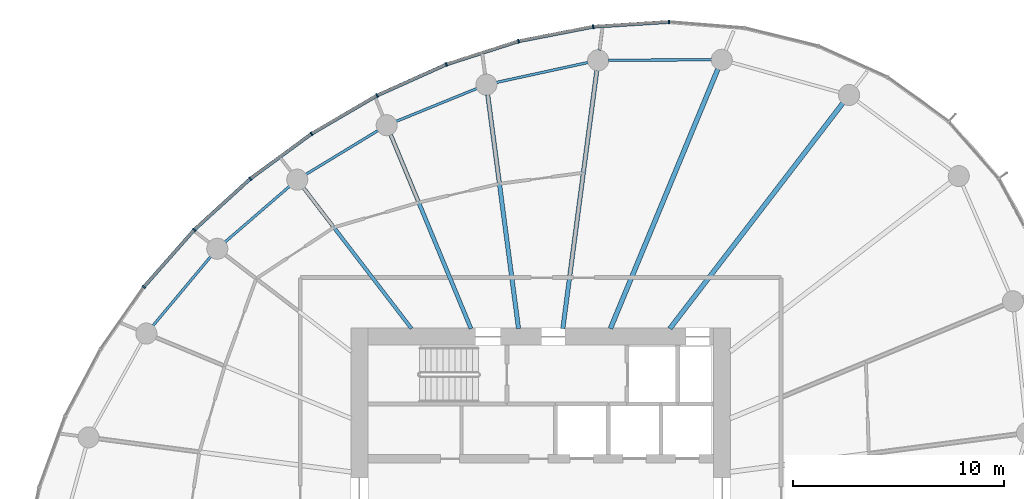
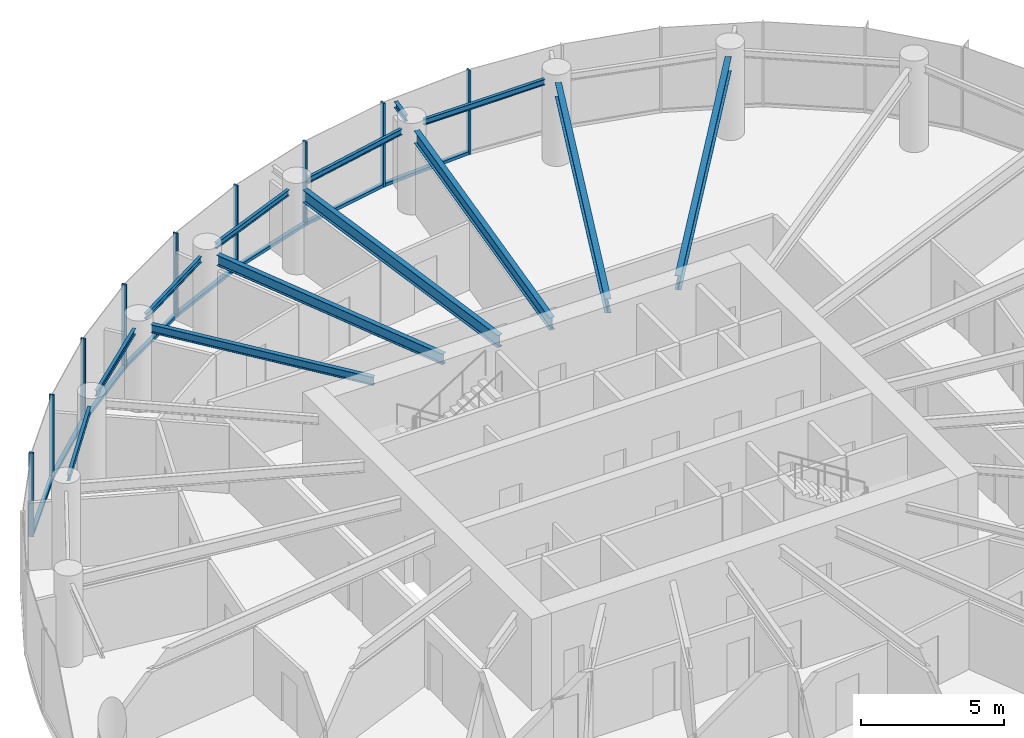
# One storey, part 5 of 14: 17 members, 13 beams, 3 elements without a shape of their own.
"""IFC4 building model written with IfcOpenShell, lengths in metres."""

from ifc_helpers import new_model, si_unit, direction, frame, origin, origin_2d, place, context, subcontext, project, spatial, rectangle, i_section, extrude, source, transform, mapped, material, layer, layer_set, material_profile, profile_set, type_object, element, aggregate, save


model = new_model("IFC4")

# Units and contexts
model_context = context("Model", 3, precision=1e-05, world=origin(), true_north=direction((0.0, 1.0)))
body_context = subcontext(model_context, "Body", "Model", "MODEL_VIEW")
ifc_project = project(units=[si_unit("LENGTHUNIT", "METRE"), si_unit("AREAUNIT", "SQUARE_METRE"), si_unit("VOLUMEUNIT", "CUBIC_METRE"), si_unit("PLANEANGLEUNIT", "RADIAN"), si_unit("MASSUNIT", "GRAM", prefix="KILO")], contexts=[model_context])

# Site, building, storey
site_placement = place(None, origin())
site = spatial("IfcSite", under=ifc_project, at=site_placement, CompositionType="ELEMENT")
building_placement = place(site_placement, origin())
building = spatial("IfcBuilding", under=site, at=building_placement, Name="Spindrift Exchange Tower", CompositionType="ELEMENT")
storey_placement = place(building_placement, frame((0.0, 0.0, 152.60009765625)))
storey = spatial("IfcBuildingStorey", under=building, at=storey_placement, Name="L36", CompositionType="ELEMENT", Elevation=152.60009765625)

# Beams
ifc_material_1 = material(Name="Steel Grade 300", Category="steel")
ifc_material_profile_1 = material_profile(ifc_material_1, i_section(OverallWidth=0.1240234375, OverallDepth=0.248046875, WebThickness=0.0048828125, FlangeThickness=0.008056640625, FilletRadius=0.011962890625, at=origin_2d()), Name="250UB25.7")
ifc_profile_set_1 = profile_set([ifc_material_profile_1], Name="Steel Grade 300")
beam_type_1 = type_object("IfcBeamType", Name="Edge Beam 250UB25.7 Steel Grade 300", PredefinedType="SPANDREL", material=ifc_profile_set_1)
shared_shape_1 = source(origin(), body_context, "Body", "SweptSolid", [
    extrude(i_section(OverallWidth=0.1240234375, OverallDepth=0.248046875, WebThickness=0.0048828125, FlangeThickness=0.008056640625, FilletRadius=0.011962890625, at=origin_2d()), origin(), (0.0, 0.0, 1.0), 4.901123046875),
])
beam_1_placement = place(storey_placement, frame((60.10693359375, 68.728759765625, 3.455810546875), z_axis=(-0.999990609444, -0.004333707747, 0.0), x_axis=(0.004333707747, -0.999990609444, 0.0)))
element("IfcBeam", 1, at=beam_1_placement, inside=storey, type_object=beam_type_1, Name="L36 edge beam E05", PredefinedType="SPANDREL", context=body_context, shape_type="MappedRepresentation", body=[
    mapped(shared_shape_1, transform((0.0, 0.0, 0.0), scale=1.0)),
])
shared_shape_2 = source(origin(), body_context, "Body", "SweptSolid", [
    extrude(i_section(OverallWidth=0.1240234375, OverallDepth=0.248046875, WebThickness=0.0048828125, FlangeThickness=0.008056640625, FilletRadius=0.011962890625, at=origin_2d()), origin(), (0.0, 0.0, 1.0), 4.464111328125),
])
beam_2_placement = place(storey_placement, frame((54.2568359375, 68.603271484375, 3.455810546875), z_axis=(-0.977095837978, -0.212799726048, 0.0), x_axis=(0.212799726048, -0.977095837978, 0.0)))
element("IfcBeam", 2, at=beam_2_placement, inside=storey, type_object=beam_type_1, Name="L36 edge beam E06", PredefinedType="SPANDREL", context=body_context, shape_type="MappedRepresentation", body=[
    mapped(shared_shape_2, transform((0.0, 0.0, 0.0), scale=1.0)),
])
shared_shape_3 = source(origin(), body_context, "Body", "SweptSolid", [
    extrude(i_section(OverallWidth=0.1240234375, OverallDepth=0.248046875, WebThickness=0.0048828125, FlangeThickness=0.008056640625, FilletRadius=0.011962890625, at=origin_2d()), origin(), (0.0, 0.0, 1.0), 4.143798828125),
])
beam_3_placement = place(storey_placement, frame((48.9814453125, 67.3701171875, 3.455810546875), z_axis=(-0.926113706975, -0.377244485385, 0.0), x_axis=(0.377244485385, -0.926113706975, 0.0)))
element("IfcBeam", 3, at=beam_3_placement, inside=storey, type_object=beam_type_1, Name="L36 edge beam E07", PredefinedType="SPANDREL", context=body_context, shape_type="MappedRepresentation", body=[
    mapped(shared_shape_3, transform((0.0, 0.0, 0.0), scale=1.0)),
])
shared_shape_4 = source(origin(), body_context, "Body", "SweptSolid", [
    extrude(i_section(OverallWidth=0.1240234375, OverallDepth=0.248046875, WebThickness=0.0048828125, FlangeThickness=0.008056640625, FilletRadius=0.011962890625, at=origin_2d()), origin(), (0.0, 0.0, 1.0), 4.00634765625),
])
beam_4_placement = place(storey_placement, frame((44.2890625, 65.376220703125, 3.455810546875), z_axis=(-0.854331495603, -0.519728482596, 0.0), x_axis=(0.519728482596, -0.854331495603, 0.0)))
element("IfcBeam", 4, at=beam_4_placement, inside=storey, type_object=beam_type_1, Name="L36 edge beam E08", PredefinedType="SPANDREL", context=body_context, shape_type="MappedRepresentation", body=[
    mapped(shared_shape_4, transform((0.0, 0.0, 0.0), scale=1.0)),
])
shared_shape_5 = source(origin(), body_context, "Body", "SweptSolid", [
    extrude(i_section(OverallWidth=0.1240234375, OverallDepth=0.248046875, WebThickness=0.0048828125, FlangeThickness=0.008056640625, FilletRadius=0.011962890625, at=origin_2d()), origin(), (0.0, 0.0, 1.0), 4.052001953125),
])
beam_5_placement = place(storey_placement, frame((40.093017578125, 62.730712890625, 3.455810546875), z_axis=(-0.756715968535, -0.65374379, 0.0), x_axis=(0.65374379, -0.756715968535, 0.0)))
element("IfcBeam", 5, at=beam_5_placement, inside=storey, type_object=beam_type_1, Name="L36 edge beam E09", PredefinedType="SPANDREL", context=body_context, shape_type="MappedRepresentation", body=[
    mapped(shared_shape_5, transform((0.0, 0.0, 0.0), scale=1.0)),
])
shared_shape_6 = source(origin(), body_context, "Body", "SweptSolid", [
    extrude(i_section(OverallWidth=0.1240234375, OverallDepth=0.248046875, WebThickness=0.0048828125, FlangeThickness=0.008056640625, FilletRadius=0.011962890625, at=origin_2d()), origin(), (0.0, 0.0, 1.0), 4.282958984375),
])
beam_6_placement = place(storey_placement, frame((36.355712890625, 59.399658203125, 3.455810546875), z_axis=(-0.641400288548, -0.767206406289, 0.0), x_axis=(0.767206406289, -0.641400288548, 0.0)))
element("IfcBeam", 6, at=beam_6_placement, inside=storey, type_object=beam_type_1, Name="L36 edge beam E10", PredefinedType="SPANDREL", context=body_context, shape_type="MappedRepresentation", body=[
    mapped(shared_shape_6, transform((0.0, 0.0, 0.0), scale=1.0)),
])
ifc_material_profile_2 = material_profile(ifc_material_1, i_section(OverallWidth=0.22802734375, OverallDepth=0.60205078125, WebThickness=0.010498046875, FlangeThickness=0.014892578125, FilletRadius=0.013916015625, at=origin_2d()), Name="610UB101")
ifc_profile_set_2 = profile_set([ifc_material_profile_2], Name="Steel Grade 300")
beam_type_2 = type_object("IfcBeamType", Name="Floor Beam 610UB101 Steel Grade 300", PredefinedType="BEAM", material=ifc_profile_set_2)
shared_shape_7 = source(origin(), body_context, "Body", "SweptSolid", [
    extrude(i_section(OverallWidth=0.22802734375, OverallDepth=0.60205078125, WebThickness=0.010498046875, FlangeThickness=0.014892578125, FilletRadius=0.013916015625, at=origin_2d()), origin(), (0.0, 0.0, 1.0), 13.480224609375),
])
beam_7_placement = place(storey_placement, frame((58.12646484375, 55.984130859375, 3.27880859375), z_axis=(0.608764179541, 0.793351229726, 0.0), x_axis=(-0.793351229726, 0.608764179541, 0.0)))
element("IfcBeam", 7, at=beam_7_placement, inside=storey, type_object=beam_type_2, Name="L36 radial beam R04A", PredefinedType="BEAM", context=body_context, shape_type="MappedRepresentation", body=[
    mapped(shared_shape_7, transform((0.0, 0.0, 0.0), scale=1.0)),
])
shared_shape_8 = source(origin(), body_context, "Body", "SweptSolid", [
    extrude(i_section(OverallWidth=0.22802734375, OverallDepth=0.60205078125, WebThickness=0.010498046875, FlangeThickness=0.014892578125, FilletRadius=0.013916015625, at=origin_2d()), origin(), (0.0, 0.0, 1.0), 13.31982421875),
])
beam_8_placement = place(storey_placement, frame((55.30615234375, 55.9814453125, 3.27880859375), z_axis=(0.382676632888, 0.923882348918, 0.0), x_axis=(-0.923882348918, 0.382676632888, 0.0)))
element("IfcBeam", 8, at=beam_8_placement, inside=storey, type_object=beam_type_2, Name="L36 radial beam R05A", PredefinedType="BEAM", context=body_context, shape_type="MappedRepresentation", body=[
    mapped(shared_shape_8, transform((0.0, 0.0, 0.0), scale=1.0)),
])
ifc_material_profile_3 = material_profile(ifc_material_1, i_section(OverallWidth=0.208984375, OverallDepth=0.528076171875, WebThickness=0.009521484375, FlangeThickness=0.01318359375, FilletRadius=0.013916015625, at=origin_2d()), Name="530UB82.0")
ifc_profile_set_3 = profile_set([ifc_material_profile_3], Name="Steel Grade 300")
beam_type_3 = type_object("IfcBeamType", Name="Floor Beam 530UB82.0 Steel Grade 300", PredefinedType="BEAM", material=ifc_profile_set_3)
shared_shape_9 = source(origin(), body_context, "Body", "SweptSolid", [
    extrude(i_section(OverallWidth=0.208984375, OverallDepth=0.528076171875, WebThickness=0.009521484375, FlangeThickness=0.01318359375, FilletRadius=0.013916015625, at=origin_2d()), origin(), (0.0, 0.0, 1.0), 12.35498046875),
])
beam_9_placement = place(storey_placement, frame((53.050537109375, 55.980224609375, 3.31591796875), z_axis=(0.130537831721, 0.991443328935, 0.0), x_axis=(-0.991443328935, 0.130537831721, 0.0)))
element("IfcBeam", 9, at=beam_9_placement, inside=storey, type_object=beam_type_3, Name="L36 radial beam R06A", PredefinedType="BEAM", context=body_context, shape_type="MappedRepresentation", body=[
    mapped(shared_shape_9, transform((0.0, 0.0, 0.0), scale=1.0)),
])
shared_shape_10 = source(origin(), body_context, "Body", "SweptSolid", [
    extrude(i_section(OverallWidth=0.208984375, OverallDepth=0.528076171875, WebThickness=0.009521484375, FlangeThickness=0.01318359375, FilletRadius=0.013916015625, at=origin_2d()), origin(), (0.0, 0.0, 1.0), 11.19091796875),
])
beam_10_placement = place(storey_placement, frame((50.949462890625, 55.980224609375, 3.31591796875), z_axis=(-0.130524489434, 0.991445085548, 0.0), x_axis=(-0.991445085548, -0.130524489434, 0.0)))
element("IfcBeam", 10, at=beam_10_placement, inside=storey, type_object=beam_type_3, Name="L36 radial beam R07A", PredefinedType="BEAM", context=body_context, shape_type="MappedRepresentation", body=[
    mapped(shared_shape_10, transform((0.0, 0.0, 0.0), scale=1.0)),
])
ifc_material_profile_4 = material_profile(ifc_material_1, i_section(OverallWidth=0.18994140625, OverallDepth=0.4541015625, WebThickness=0.008544921875, FlangeThickness=0.0126953125, FilletRadius=0.013916015625, at=origin_2d()), Name="460UB67.1")
ifc_profile_set_4 = profile_set([ifc_material_profile_4], Name="Steel Grade 300")
beam_type_4 = type_object("IfcBeamType", Name="Floor Beam 460UB67.1 Steel Grade 300", PredefinedType="BEAM", material=ifc_profile_set_4)
shared_shape_11 = source(origin(), body_context, "Body", "SweptSolid", [
    extrude(i_section(OverallWidth=0.18994140625, OverallDepth=0.4541015625, WebThickness=0.008544921875, FlangeThickness=0.0126953125, FilletRadius=0.013916015625, at=origin_2d()), origin(), (0.0, 0.0, 1.0), 9.958984375),
])
beam_11_placement = place(storey_placement, frame((48.69384765625, 55.9814453125, 3.352783203125), z_axis=(-0.382673670509, 0.923883575944, 0.0), x_axis=(-0.923883575944, -0.382673670509, 0.0)))
element("IfcBeam", 11, at=beam_11_placement, inside=storey, type_object=beam_type_4, Name="L36 radial beam R08A", PredefinedType="BEAM", context=body_context, shape_type="MappedRepresentation", body=[
    mapped(shared_shape_11, transform((0.0, 0.0, 0.0), scale=1.0)),
])
ifc_material_profile_5 = material_profile(ifc_material_1, i_section(OverallWidth=0.1708984375, OverallDepth=0.35205078125, WebThickness=0.0068359375, FlangeThickness=0.009765625, FilletRadius=0.013916015625, at=origin_2d()), Name="360UB44.7")
ifc_profile_set_5 = profile_set([ifc_material_profile_5], Name="Steel Grade 300")
beam_type_5 = type_object("IfcBeamType", Name="Floor Beam 360UB44.7 Steel Grade 300", PredefinedType="BEAM", material=ifc_profile_set_5)
shared_shape_12 = source(origin(), body_context, "Body", "SweptSolid", [
    extrude(i_section(OverallWidth=0.1708984375, OverallDepth=0.35205078125, WebThickness=0.0068359375, FlangeThickness=0.009765625, FilletRadius=0.013916015625, at=origin_2d()), origin(), (0.0, 0.0, 1.0), 8.419189453125),
])
beam_12_placement = place(storey_placement, frame((45.87353515625, 55.984130859375, 3.40380859375), z_axis=(-0.608755970582, 0.79335752866, 0.0), x_axis=(-0.79335752866, -0.608755970582, 0.0)))
element("IfcBeam", 12, at=beam_12_placement, inside=storey, type_object=beam_type_5, Name="L36 radial beam R09A", PredefinedType="BEAM", context=body_context, shape_type="MappedRepresentation", body=[
    mapped(shared_shape_12, transform((0.0, 0.0, 0.0), scale=1.0)),
])
ifc_material_profile_6 = material_profile(ifc_material_1, i_section(OverallWidth=0.14599609375, OverallDepth=0.251953125, WebThickness=0.006103515625, FlangeThickness=0.008544921875, FilletRadius=0.011962890625, at=origin_2d()), Name="250UB31.4")
ifc_profile_set_6 = profile_set([ifc_material_profile_6], Name="Steel Grade 300")
beam_type_6 = type_object("IfcBeamType", Name="Cantilever Beam 250UB31.4 Steel Grade 300", PredefinedType="BEAM", material=ifc_profile_set_6)
shared_shape_13 = source(origin(), body_context, "Body", "SweptSolid", [
    extrude(i_section(OverallWidth=0.14599609375, OverallDepth=0.251953125, WebThickness=0.006103515625, FlangeThickness=0.008544921875, FilletRadius=0.011962890625, at=origin_2d()), origin(), (0.0, 0.0, 1.0), 0.951416015625),
])
beam_13_placement = place(storey_placement, frame((54.78857421875, 69.18115234375, 3.453857421875), z_axis=(0.13060053092, 0.991435071663, 0.0), x_axis=(-0.991435071663, 0.13060053092, 0.0)))
element("IfcBeam", 13, at=beam_13_placement, inside=storey, type_object=beam_type_6, Name="L36 cantilever beam R06T", PredefinedType="BEAM", context=body_context, shape_type="MappedRepresentation", body=[
    mapped(shared_shape_13, transform((0.0, 0.0, 0.0), scale=1.0)),
])

# Curtain wall, member
ifc_material_2 = material(Name="Fritted laminated glass with bronze frame", Category="glass")
ifc_layer = layer(ifc_material_2, 0.179931640625)
ifc_layer_set = layer_set([ifc_layer], Name="ZONE 3 BRONZE FRITTED WALL")
curtain_wall_type = type_object("IfcCurtainWallType", Name="ZONE 3 BRONZE FRITTED WALL", PredefinedType="NOTDEFINED", material=ifc_layer_set)
curtain_wall_1_placement = place(storey_placement, origin())
curtain_wall_1 = element("IfcCurtainWall", 14, at=curtain_wall_1_placement, inside=storey, type_object=curtain_wall_type, Name="L36 Zone 3 Bronze Fritted Wall run 1", PredefinedType="NOTDEFINED")
ifc_material_3 = material(Name="Bronze anodised aluminium", Category="aluminium")
ifc_material_profile_7 = material_profile(ifc_material_3, rectangle(XDim=0.070068359375, YDim=0.179931640625, at=origin_2d()), Name="ZONE 3 BRONZE FRITTED WALL MULLION 70X180")
ifc_profile_set_7 = profile_set([ifc_material_profile_7], Name="Bronze anodised aluminium")
member_type_1 = type_object("IfcMemberType", Name="ZONE 3 BRONZE FRITTED WALL MULLION 70X180", PredefinedType="MULLION", material=ifc_profile_set_7)
shared_shape_14 = source(origin(), body_context, "Body", "SweptSolid", [
    extrude(rectangle(XDim=0.070068359375, YDim=0.179931640625, at=origin_2d()), origin(), (0.0, 0.0, 1.0), 3.579833984375),
])
member_1_placement = place(storey_placement, frame((58.080810546875, 70.525634765625, 0.0), z_axis=(0.0, 0.0, 1.0), x_axis=(-0.999968436581, 0.007945177312, 0.0)))
member_1 = element("IfcMember", 15, at=member_1_placement, type_object=member_type_1, Name="L36 mullion CW-3.6", PredefinedType="MULLION", context=body_context, shape_type="MappedRepresentation", body=[
    mapped(shared_shape_14, transform((0.0, 0.0, 0.0), scale=1.0)),
])

# Curtain wall, members
curtain_wall_2_placement = place(storey_placement, origin())
curtain_wall_2 = element("IfcCurtainWall", 16, at=curtain_wall_2_placement, inside=storey, type_object=curtain_wall_type, Name="L36 Zone 3 Bronze Fritted Wall run 2", PredefinedType="NOTDEFINED")
member_2_placement = place(storey_placement, frame((54.48828125, 70.297119140625, 0.0), z_axis=(0.0, 0.0, 1.0), x_axis=(-0.991839391801, -0.127493611103, 0.0)))
member_2 = element("IfcMember", 17, at=member_2_placement, type_object=member_type_1, Name="L36 mullion CW-3.7", PredefinedType="MULLION", context=body_context, shape_type="MappedRepresentation", body=[
    mapped(shared_shape_14, transform((0.0, 0.0, 0.0), scale=1.0)),
])
member_3_placement = place(storey_placement, frame((50.9541015625, 69.609619140625, 0.0), z_axis=(0.0, 0.0, 1.0), x_axis=(-0.968571823125, -0.248734041594, 0.0)))
member_3 = element("IfcMember", 18, at=member_3_placement, type_object=member_type_1, Name="L36 mullion CW-3.8", PredefinedType="MULLION", context=body_context, shape_type="MappedRepresentation", body=[
    mapped(shared_shape_14, transform((0.0, 0.0, 0.0), scale=1.0)),
])
member_4_placement = place(storey_placement, frame((47.52587890625, 68.50927734375, 0.0), z_axis=(0.0, 0.0, 1.0), x_axis=(-0.933722443922, -0.357997762166, 0.0)))
member_4 = element("IfcMember", 19, at=member_4_placement, type_object=member_type_1, Name="L36 mullion CW-3.9", PredefinedType="MULLION", context=body_context, shape_type="MappedRepresentation", body=[
    mapped(shared_shape_14, transform((0.0, 0.0, 0.0), scale=1.0)),
])
member_5_placement = place(storey_placement, frame((44.240478515625, 67.035400390625, 0.0), z_axis=(0.0, 0.0, 1.0), x_axis=(-0.889249049799, -0.457423356894, 0.0)))
member_5 = element("IfcMember", 20, at=member_5_placement, type_object=member_type_1, Name="L36 mullion CW-3.10", PredefinedType="MULLION", context=body_context, shape_type="MappedRepresentation", body=[
    mapped(shared_shape_14, transform((0.0, 0.0, 0.0), scale=1.0)),
])
member_6_placement = place(storey_placement, frame((41.130859375, 65.2197265625, 0.0), z_axis=(0.0, 0.0, 1.0), x_axis=(-0.835916795872, -0.548856183694, 0.0)))
member_6 = element("IfcMember", 21, at=member_6_placement, type_object=member_type_1, Name="L36 mullion CW-3.11", PredefinedType="MULLION", context=body_context, shape_type="MappedRepresentation", body=[
    mapped(shared_shape_14, transform((0.0, 0.0, 0.0), scale=1.0)),
])
member_7_placement = place(storey_placement, frame((38.228759765625, 63.088134765625, 0.0), z_axis=(0.0, 0.0, 1.0), x_axis=(-0.77359943165, -0.633674931925, 0.0)))
member_7 = element("IfcMember", 22, at=member_7_placement, type_object=member_type_1, Name="L36 mullion CW-3.12", PredefinedType="MULLION", context=body_context, shape_type="MappedRepresentation", body=[
    mapped(shared_shape_14, transform((0.0, 0.0, 0.0), scale=1.0)),
])

curtain_wall_3_placement = place(storey_placement, origin())
curtain_wall_3 = element("IfcCurtainWall", 23, at=curtain_wall_3_placement, inside=storey, type_object=curtain_wall_type, Name="L36 Zone 3 Bronze Fritted Wall run 3", PredefinedType="NOTDEFINED")
member_8_placement = place(storey_placement, frame((35.5673828125, 60.66259765625, 0.0), z_axis=(0.0, 0.0, 1.0), x_axis=(-0.70141614386, -0.71275198571, 0.0)))
member_8 = element("IfcMember", 24, at=member_8_placement, type_object=member_type_1, Name="L36 mullion CW-3.13", PredefinedType="MULLION", context=body_context, shape_type="MappedRepresentation", body=[
    mapped(shared_shape_14, transform((0.0, 0.0, 0.0), scale=1.0)),
])
member_9_placement = place(storey_placement, frame((33.184814453125, 57.962890625, 0.0), z_axis=(0.0, 0.0, 1.0), x_axis=(-0.617748368486, -0.786375834593, 0.0)))
member_9 = element("IfcMember", 25, at=member_9_placement, type_object=member_type_1, Name="L36 mullion CW-3.14", PredefinedType="MULLION", context=body_context, shape_type="MappedRepresentation", body=[
    mapped(shared_shape_14, transform((0.0, 0.0, 0.0), scale=1.0)),
])

# Member
ifc_material_profile_8 = material_profile(ifc_material_3, rectangle(XDim=0.159912109375, YDim=0.1298828125, at=origin_2d()), Name="ZONE 3 BRONZE FRITTED WALL TRANSOM 160X130")
ifc_profile_set_8 = profile_set([ifc_material_profile_8], Name="Bronze anodised aluminium")
member_type_2 = type_object("IfcMemberType", Name="ZONE 3 BRONZE FRITTED WALL TRANSOM 160X130", PredefinedType="USERDEFINED", material=ifc_profile_set_8)
shared_shape_15 = source(origin(), body_context, "Body", "SweptSolid", [
    extrude(rectangle(XDim=0.159912109375, YDim=0.1298828125, at=origin_2d()), origin(), (0.0, 0.0, 1.0), 3.53076171875),
])
member_10_placement = place(storey_placement, frame((50.9208984375, 69.598876953125, 0.06494140625), z_axis=(-0.952150791062, -0.305628648983, 0.0), x_axis=(0.305628648983, -0.952150791062, 0.0)))
member_10 = element("IfcMember", 26, at=member_10_placement, type_object=member_type_2, Name="L36 transom CW-3.8", ObjectType="TRANSOM", PredefinedType="USERDEFINED", context=body_context, shape_type="MappedRepresentation", body=[
    mapped(shared_shape_15, transform((0.0, 0.0, 0.0), scale=1.0)),
])

member_11_placement = place(storey_placement, frame((47.493896484375, 68.494873046875, 0.06494140625), z_axis=(-0.912406052899, -0.409286201372, 0.0), x_axis=(0.409286201372, -0.912406052899, 0.0)))
member_11 = element("IfcMember", 27, at=member_11_placement, type_object=member_type_2, Name="L36 transom CW-3.9", ObjectType="TRANSOM", PredefinedType="USERDEFINED", context=body_context, shape_type="MappedRepresentation", body=[
    mapped(shared_shape_15, transform((0.0, 0.0, 0.0), scale=1.0)),
])

member_12_placement = place(storey_placement, frame((44.210205078125, 67.017822265625, 0.06494140625), z_axis=(-0.863545580048, -0.50427079152, 0.0), x_axis=(0.50427079152, -0.863545580048, 0.0)))
member_12 = element("IfcMember", 28, at=member_12_placement, type_object=member_type_2, Name="L36 transom CW-3.10", ObjectType="TRANSOM", PredefinedType="USERDEFINED", context=body_context, shape_type="MappedRepresentation", body=[
    mapped(shared_shape_15, transform((0.0, 0.0, 0.0), scale=1.0)),
])

member_13_placement = place(storey_placement, frame((38.202880859375, 63.064453125, 0.06494140625), z_axis=(-0.739088468668, -0.673608369516, 0.0), x_axis=(0.673608369516, -0.739088468668, 0.0)))
member_13 = element("IfcMember", 29, at=member_13_placement, type_object=member_type_2, Name="L36 transom CW-3.12", ObjectType="TRANSOM", PredefinedType="USERDEFINED", context=body_context, shape_type="MappedRepresentation", body=[
    mapped(shared_shape_15, transform((0.0, 0.0, 0.0), scale=1.0)),
])

member_14_placement = place(storey_placement, frame((35.544189453125, 60.63623046875, 0.06494140625), z_axis=(-0.661685671384, -0.749781349652, 0.0), x_axis=(0.749781349652, -0.661685671384, 0.0)))
member_14 = element("IfcMember", 30, at=member_14_placement, type_object=member_type_2, Name="L36 transom CW-3.13", ObjectType="TRANSOM", PredefinedType="USERDEFINED", context=body_context, shape_type="MappedRepresentation", body=[
    mapped(shared_shape_15, transform((0.0, 0.0, 0.0), scale=1.0)),
])

aggregate(curtain_wall_3, [member_8, member_14, member_9])

shared_shape_16 = source(origin(), body_context, "Body", "SweptSolid", [
    extrude(rectangle(XDim=0.159912109375, YDim=0.1298828125, at=origin_2d()), origin(), (0.0, 0.0, 1.0), 3.531005859375),
])
member_15_placement = place(storey_placement, frame((41.102783203125, 65.198974609375, 0.06494140625), z_axis=(-0.805991543946, -0.591927048788, 0.0), x_axis=(0.591927048788, -0.805991543946, 0.0)))
member_15 = element("IfcMember", 31, at=member_15_placement, type_object=member_type_2, Name="L36 transom CW-3.11", ObjectType="TRANSOM", PredefinedType="USERDEFINED", context=body_context, shape_type="MappedRepresentation", body=[
    mapped(shared_shape_16, transform((0.0, 0.0, 0.0), scale=1.0)),
])

shared_shape_17 = source(origin(), body_context, "Body", "SweptSolid", [
    extrude(rectangle(XDim=0.159912109375, YDim=0.1298828125, at=origin_2d()), origin(), (0.0, 0.0, 1.0), 3.5302734375),
])
member_16_placement = place(storey_placement, frame((54.453857421875, 70.29052734375, 0.06494140625), z_axis=(-0.981588746367, -0.191006630792, 0.0), x_axis=(0.191006630792, -0.981588746367, 0.0)))
member_16 = element("IfcMember", 32, at=member_16_placement, type_object=member_type_2, Name="L36 transom CW-3.7", ObjectType="TRANSOM", PredefinedType="USERDEFINED", context=body_context, shape_type="MappedRepresentation", body=[
    mapped(shared_shape_17, transform((0.0, 0.0, 0.0), scale=1.0)),
])

aggregate(curtain_wall_2, [member_2, member_16, member_3, member_10, member_4, member_11, member_5, member_12, member_6, member_15, member_7, member_13])

shared_shape_18 = source(origin(), body_context, "Body", "SweptSolid", [
    extrude(rectangle(XDim=0.159912109375, YDim=0.1298828125, at=origin_2d()), origin(), (0.0, 0.0, 1.0), 3.52978515625),
])
member_17_placement = place(storey_placement, frame((58.0458984375, 70.5234375, 0.06494140625), z_axis=(-0.997982252094, -0.063493499717, 0.0), x_axis=(0.063493499717, -0.997982252094, 0.0)))
member_17 = element("IfcMember", 33, at=member_17_placement, type_object=member_type_2, Name="L36 transom CW-3.6", ObjectType="TRANSOM", PredefinedType="USERDEFINED", context=body_context, shape_type="MappedRepresentation", body=[
    mapped(shared_shape_18, transform((0.0, 0.0, 0.0), scale=1.0)),
])

aggregate(curtain_wall_1, [member_1, member_17])

save(model, "model.ifc")
